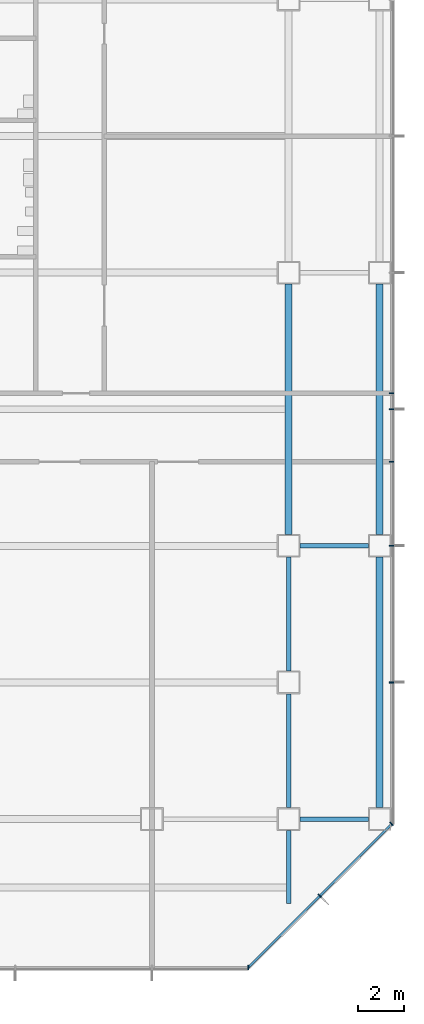
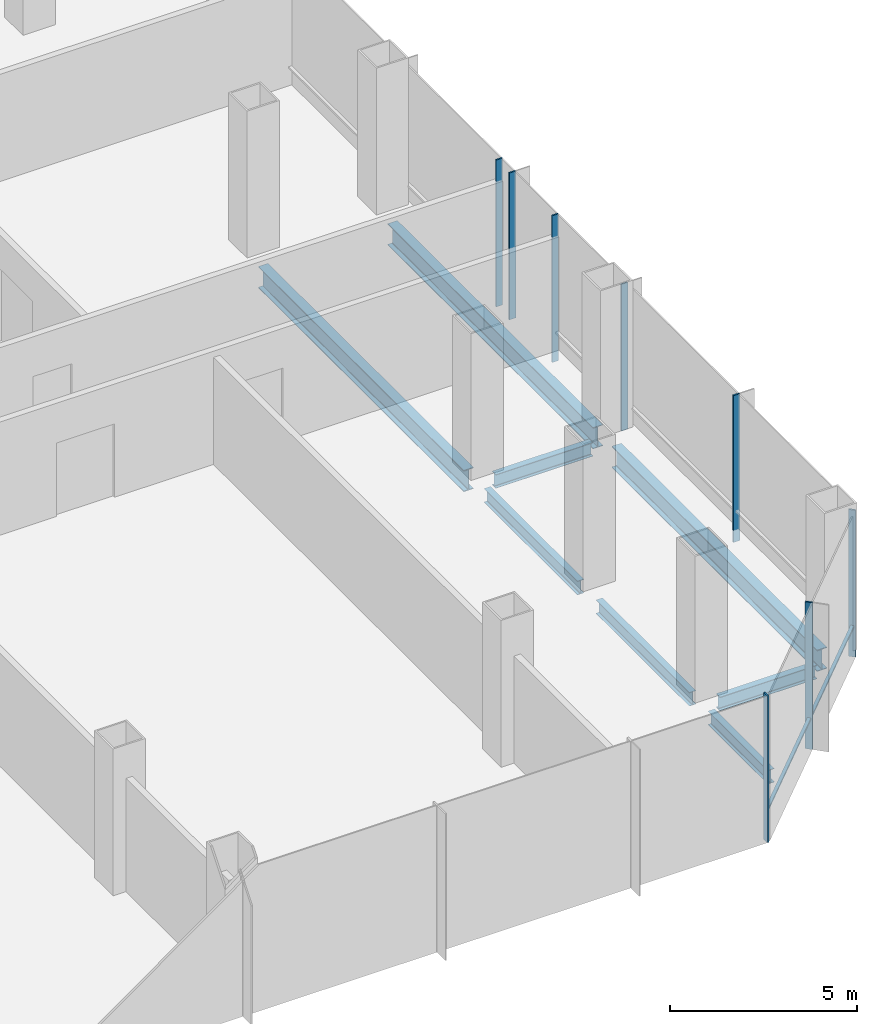
# One storey, part 17 of 33: 9 members, 8 beams, 3 elements without a shape of their own.
"""IFC4 building model written with IfcOpenShell, lengths in metres."""

from ifc_helpers import new_model, si_unit, direction, frame, origin, origin_2d, place, context, subcontext, project, spatial, rectangle, i_section, extrude, material, material_profile, profile_set, type_object, element, aggregate, save


model = new_model("IFC4")

# Units and contexts
model_context = context("Model", 3, precision=1e-05, world=origin(), true_north=direction((0.0, 1.0)))
body_context = subcontext(model_context, "Body", "Model", "MODEL_VIEW")
ifc_project = project(units=[si_unit("LENGTHUNIT", "METRE"), si_unit("AREAUNIT", "SQUARE_METRE"), si_unit("VOLUMEUNIT", "CUBIC_METRE"), si_unit("PLANEANGLEUNIT", "RADIAN"), si_unit("MASSUNIT", "GRAM", prefix="KILO")], contexts=[model_context])

# Site, building, storey
site_placement = place(None, origin())
site = spatial("IfcSite", under=ifc_project, at=site_placement, CompositionType="ELEMENT")
building_placement = place(site_placement, origin())
building = spatial("IfcBuilding", under=site, at=building_placement, Name="Sorahane Residences", CompositionType="ELEMENT")
storey_placement = place(building_placement, frame((0.0, 0.0, 25.199951171875)))
storey = spatial("IfcBuildingStorey", under=building, at=storey_placement, Name="L03", CompositionType="ELEMENT", Elevation=25.199951171875)

# Curtain wall, member
ifc_material_1 = material(Name="Dark low-e glass and black anodised aluminium", Category="aluminium")
curtain_wall_type = type_object("IfcCurtainWallType", Name="Curtain wall CW-3 Podium unitised wall", PredefinedType="NOTDEFINED", material=ifc_material_1)
curtain_wall_1_placement = place(storey_placement, origin())
curtain_wall_1 = element("IfcCurtainWall", 1, at=curtain_wall_1_placement, inside=storey, type_object=curtain_wall_type, Name="CW-3 curtain wall L03 S1", PredefinedType="NOTDEFINED")
ifc_material_2 = material(Name="Black anodised aluminium", Category="aluminium")
ifc_material_profile_1 = material_profile(ifc_material_2, rectangle(XDim=0.199951171875, YDim=0.050048828125, at=origin_2d()), Name="Curtain wall mullion CW-3 black anodised aluminium 50x200")
ifc_profile_set_1 = profile_set([ifc_material_profile_1], Name="Black anodised aluminium")
member_type_1 = type_object("IfcMemberType", Name="Curtain wall mullion CW-3 black anodised aluminium 50x200", PredefinedType="MULLION", material=ifc_profile_set_1)
member_1_placement = place(storey_placement, frame((64.2236328125, -6.52001953125, -0.39990234375), z_axis=(0.0, 0.0, 1.0), x_axis=(0.0, -1.0, 0.0)))
member_1 = element("IfcMember", 2, at=member_1_placement, type_object=member_type_1, Name="CW-3 mullion L03 S1.11", PredefinedType="MULLION", context=body_context, shape_type="SweptSolid", body=[
    extrude(rectangle(XDim=0.199951171875, YDim=0.050048828125, at=origin_2d()), origin(), (0.0, 0.0, 1.0), 4.800048828125),
])
aggregate(curtain_wall_1, [member_1])

# Curtain wall, members
curtain_wall_2_placement = place(storey_placement, origin())
curtain_wall_2 = element("IfcCurtainWall", 3, at=curtain_wall_2_placement, inside=storey, type_object=curtain_wall_type, Name="CW-3 curtain wall L03 SE1", PredefinedType="NOTDEFINED")
member_2_placement = place(storey_placement, frame((67.36767578125, -3.36767578125, -0.39990234375), z_axis=(0.0, 0.0, 1.0), x_axis=(0.707106781187, -0.707106781187, 0.0)))
member_2 = element("IfcMember", 4, at=member_2_placement, type_object=member_type_1, Name="CW-3 mullion L03 SE1.2", PredefinedType="MULLION", context=body_context, shape_type="SweptSolid", body=[
    extrude(rectangle(XDim=0.199951171875, YDim=0.050048828125, at=origin_2d()), origin(), (0.0, 0.0, 1.0), 4.800048828125),
])
member_3_placement = place(storey_placement, frame((70.525634765625, -0.209716796875, -0.39990234375), z_axis=(0.0, 0.0, 1.0), x_axis=(0.707106781187, -0.707106781187, 0.0)))
member_3 = element("IfcMember", 5, at=member_3_placement, type_object=member_type_1, Name="CW-3 mullion L03 SE1.3", PredefinedType="MULLION", context=body_context, shape_type="SweptSolid", body=[
    extrude(rectangle(XDim=0.199951171875, YDim=0.050048828125, at=origin_2d()), origin(), (0.0, 0.0, 1.0), 4.800048828125),
])

curtain_wall_3_placement = place(storey_placement, origin())
curtain_wall_3 = element("IfcCurtainWall", 6, at=curtain_wall_3_placement, inside=storey, type_object=curtain_wall_type, Name="CW-3 curtain wall L03 E1", PredefinedType="NOTDEFINED")
member_4_placement = place(storey_placement, frame((70.52001953125, 6.0, -0.39990234375), z_axis=(0.0, 0.0, 1.0), x_axis=(1.0, 0.0, 0.0)))
member_4 = element("IfcMember", 7, at=member_4_placement, type_object=member_type_1, Name="CW-3 mullion L03 E1.2", PredefinedType="MULLION", context=body_context, shape_type="SweptSolid", body=[
    extrude(rectangle(XDim=0.199951171875, YDim=0.050048828125, at=origin_2d()), origin(), (0.0, 0.0, 1.0), 4.800048828125),
])
member_5_placement = place(storey_placement, frame((70.52001953125, 12.0, -0.39990234375), z_axis=(0.0, 0.0, 1.0), x_axis=(1.0, 0.0, 0.0)))
member_5 = element("IfcMember", 8, at=member_5_placement, type_object=member_type_1, Name="CW-3 mullion L03 E1.3", PredefinedType="MULLION", context=body_context, shape_type="SweptSolid", body=[
    extrude(rectangle(XDim=0.199951171875, YDim=0.050048828125, at=origin_2d()), origin(), (0.0, 0.0, 1.0), 4.800048828125),
])
member_6_placement = place(storey_placement, frame((70.52001953125, 15.699951171875, -0.39990234375), z_axis=(0.0, 0.0, 1.0), x_axis=(1.0, 0.0, 0.0)))
member_6 = element("IfcMember", 9, at=member_6_placement, type_object=member_type_1, Name="CW-3 mullion L03 E1.4", PredefinedType="MULLION", context=body_context, shape_type="SweptSolid", body=[
    extrude(rectangle(XDim=0.199951171875, YDim=0.050048828125, at=origin_2d()), origin(), (0.0, 0.0, 1.0), 4.800048828125),
])
member_7_placement = place(storey_placement, frame((70.52001953125, 18.0, -0.39990234375), z_axis=(0.0, 0.0, 1.0), x_axis=(1.0, 0.0, 0.0)))
member_7 = element("IfcMember", 10, at=member_7_placement, type_object=member_type_1, Name="CW-3 mullion L03 E1.5", PredefinedType="MULLION", context=body_context, shape_type="SweptSolid", body=[
    extrude(rectangle(XDim=0.199951171875, YDim=0.050048828125, at=origin_2d()), origin(), (0.0, 0.0, 1.0), 4.800048828125),
])
member_8_placement = place(storey_placement, frame((70.52001953125, 18.699951171875, -0.39990234375), z_axis=(0.0, 0.0, 1.0), x_axis=(1.0, 0.0, 0.0)))
member_8 = element("IfcMember", 11, at=member_8_placement, type_object=member_type_1, Name="CW-3 mullion L03 E1.6", PredefinedType="MULLION", context=body_context, shape_type="SweptSolid", body=[
    extrude(rectangle(XDim=0.199951171875, YDim=0.050048828125, at=origin_2d()), origin(), (0.0, 0.0, 1.0), 4.800048828125),
])
aggregate(curtain_wall_3, [member_4, member_5, member_6, member_7, member_8])

# Member
ifc_material_3 = material(Name="Black anodised aluminium", Category="aluminium")
ifc_material_profile_2 = material_profile(ifc_material_3, rectangle(XDim=0.10009765625, YDim=0.06005859375, at=origin_2d()), Name="Curtain wall transom CW-3 black anodised aluminium 60x100")
ifc_profile_set_2 = profile_set([ifc_material_profile_2], Name="Black anodised aluminium")
member_type_2 = type_object("IfcMemberType", Name="Curtain wall transom CW-3 black anodised aluminium 60x100", PredefinedType="USERDEFINED", material=ifc_profile_set_2)
member_9_placement = place(storey_placement, frame((64.234375, -6.51513671875, 0.60009765625), z_axis=(0.707106781187, 0.707106781187, 0.0), x_axis=(-0.707106781187, 0.707106781187, 0.0)))
member_9 = element("IfcMember", 12, at=member_9_placement, type_object=member_type_2, Name="CW-3 transom L03 SE1", ObjectType="TRANSOM", PredefinedType="USERDEFINED", context=body_context, shape_type="SweptSolid", body=[
    extrude(rectangle(XDim=0.10009765625, YDim=0.06005859375, at=origin_2d()), origin(), (0.0, 0.0, 1.0), 8.88232421875),
])

aggregate(curtain_wall_2, [member_2, member_3, member_9])

# Beams
ifc_material_4 = material(Name="Steel Q355B", Category="steel")
ifc_material_profile_3 = material_profile(ifc_material_4, i_section(OverallWidth=0.199951171875, OverallDepth=0.449951171875, WebThickness=0.009033203125, FlangeThickness=0.013916015625, FilletRadius=0.02001953125, at=origin_2d()), Name="HN 450x200x9x14")
ifc_profile_set_3 = profile_set([ifc_material_profile_3], Name="Steel Q355B")
beam_type_1 = type_object("IfcBeamType", Name="Steel floor beam HN 450x200x9x14 Q355B", PredefinedType="BEAM", material=ifc_profile_set_3)
for number, where, z_axis, x_axis, name in (
    (13, (66.5, 0.0, -0.625), (1.0, 0.0, 0.0), (0.0, 1.0, 0.0), "Beam L03 007"),
    (14, (66.5, 12.0, -0.625), (1.0, 0.0, 0.0), (0.0, 1.0, 0.0), "Beam L03 013"),
):
    element("IfcBeam", number, at=place(storey_placement, frame(where, z_axis=z_axis, x_axis=x_axis)), inside=storey, type_object=beam_type_1, Name=name, PredefinedType="BEAM", context=body_context, shape_type="SweptSolid", body=[
        extrude(i_section(OverallWidth=0.199951171875, OverallDepth=0.449951171875, WebThickness=0.009033203125, FlangeThickness=0.013916015625, FilletRadius=0.02001953125, at=origin_2d()), origin(), (0.0, 0.0, 1.0), 3.0),
    ])
for number, where, z_axis, x_axis, name in (
    (15, (66.0, 0.5, -0.625), (0.0, 1.0, 0.0), (-1.0, 0.0, 0.0), "Beam L03 070"),
    (16, (66.0, 6.5, -0.625), (0.0, 1.0, 0.0), (-1.0, 0.0, 0.0), "Beam L03 071"),
):
    element("IfcBeam", number, at=place(storey_placement, frame(where, z_axis=z_axis, x_axis=x_axis)), inside=storey, type_object=beam_type_1, Name=name, PredefinedType="BEAM", context=body_context, shape_type="SweptSolid", body=[
        extrude(i_section(OverallWidth=0.199951171875, OverallDepth=0.449951171875, WebThickness=0.009033203125, FlangeThickness=0.013916015625, FilletRadius=0.02001953125, at=origin_2d()), origin(), (0.0, 0.0, 1.0), 5.0),
    ])
beam_placement = place(storey_placement, frame((66.0, -3.699951171875, -0.625), z_axis=(0.0, 1.0, 0.0), x_axis=(-1.0, 0.0, 0.0)))
element("IfcBeam", 17, at=beam_placement, inside=storey, type_object=beam_type_1, Name="Beam L03 087", PredefinedType="BEAM", context=body_context, shape_type="SweptSolid", body=[
    extrude(i_section(OverallWidth=0.199951171875, OverallDepth=0.449951171875, WebThickness=0.009033203125, FlangeThickness=0.013916015625, FilletRadius=0.02001953125, at=origin_2d()), origin(), (0.0, 0.0, 1.0), 3.19970703125),
])
ifc_material_5 = material(Name="Steel Q355B", Category="steel")
ifc_material_profile_4 = material_profile(ifc_material_5, i_section(OverallWidth=0.300048828125, OverallDepth=0.699951171875, WebThickness=0.012939453125, FlangeThickness=0.02392578125, FilletRadius=0.028076171875, at=origin_2d()), Name="HN 700x300x13x24")
ifc_profile_set_4 = profile_set([ifc_material_profile_4], Name="Steel Q355B")
beam_type_2 = type_object("IfcBeamType", Name="Steel floor beam HN 700x300x13x24 Q355B", PredefinedType="BEAM", material=ifc_profile_set_4)
for number, where, z_axis, x_axis, name in (
    (18, (66.0, 12.5, -0.75), (0.0, 1.0, 0.0), (-1.0, 0.0, 0.0), "Beam L03 072"),
    (19, (70.0, 0.5, -0.75), (0.0, 1.0, 0.0), (-1.0, 0.0, 0.0), "Beam L03 076"),
    (20, (70.0, 12.5, -0.75), (0.0, 1.0, 0.0), (-1.0, 0.0, 0.0), "Beam L03 077"),
):
    element("IfcBeam", number, at=place(storey_placement, frame(where, z_axis=z_axis, x_axis=x_axis)), inside=storey, type_object=beam_type_2, Name=name, PredefinedType="BEAM", context=body_context, shape_type="SweptSolid", body=[
        extrude(i_section(OverallWidth=0.300048828125, OverallDepth=0.699951171875, WebThickness=0.012939453125, FlangeThickness=0.02392578125, FilletRadius=0.028076171875, at=origin_2d()), origin(), (0.0, 0.0, 1.0), 11.0),
    ])

save(model, "model.ifc")
